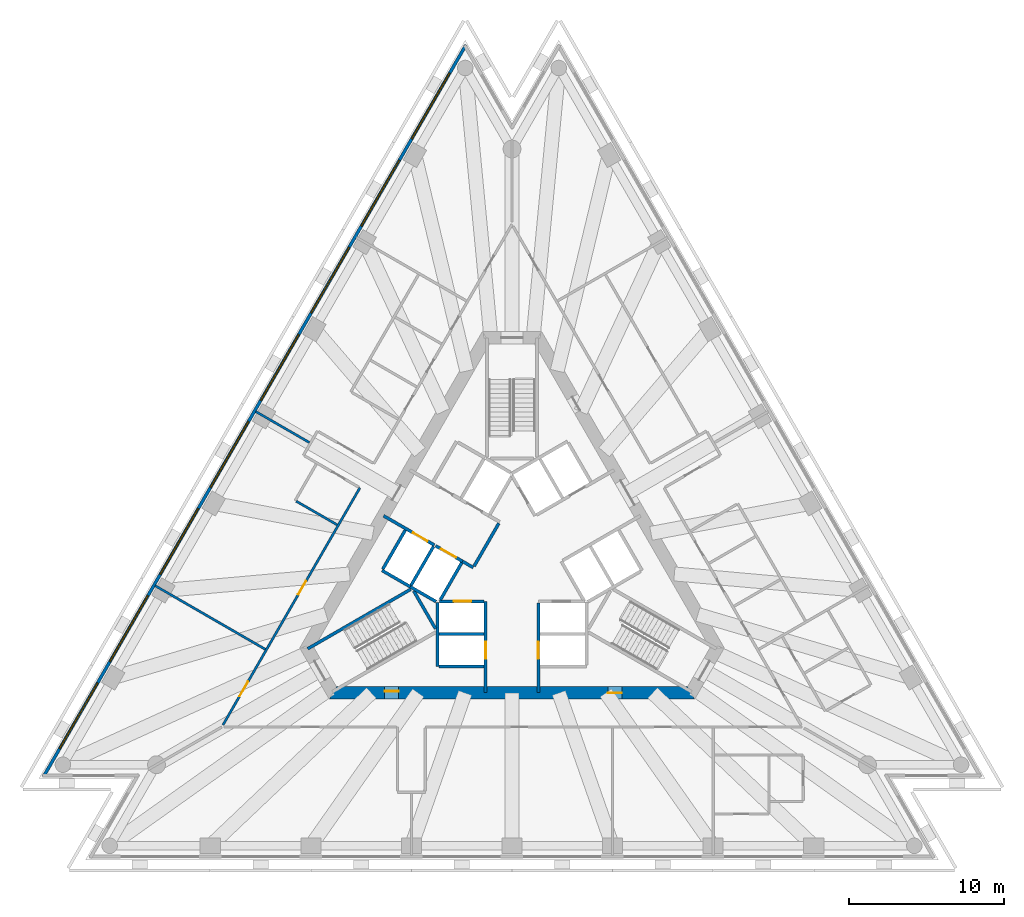
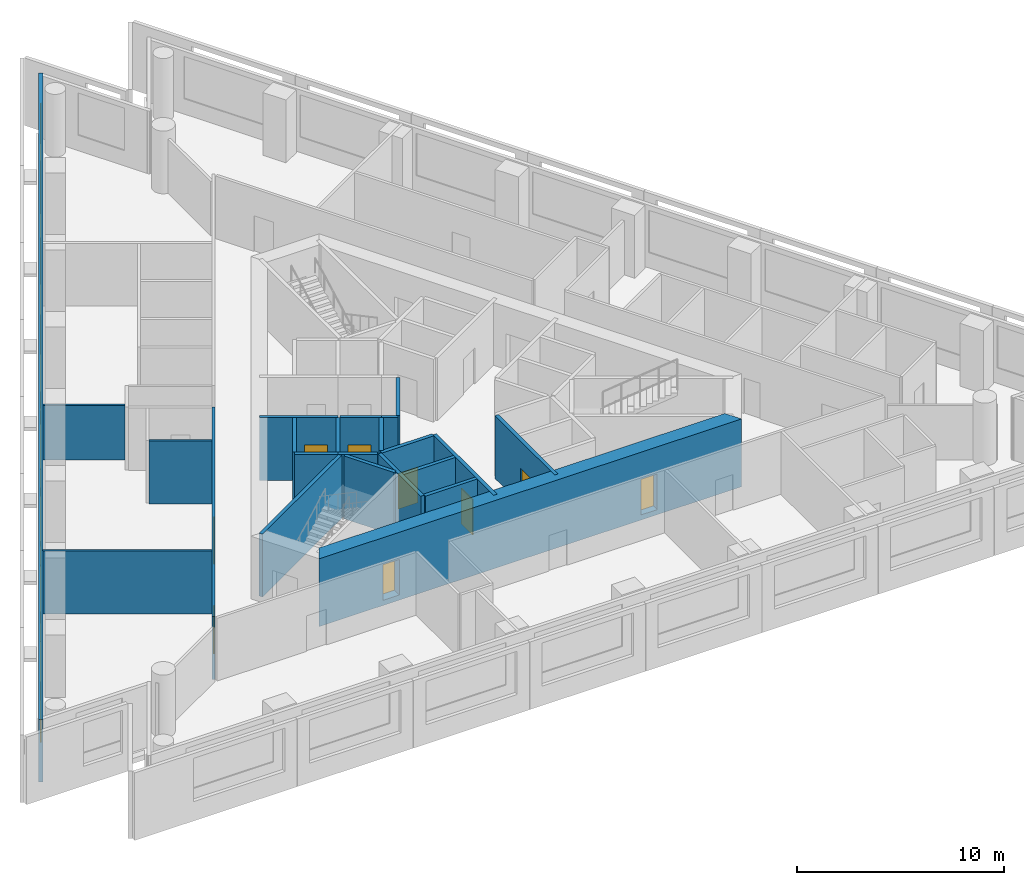
# One storey, part 3 of 9: 23 walls, 9 doors, 8 windows, 17 openings.
"""IFC4 building model written with IfcOpenShell, lengths in metres."""

from ifc_helpers import new_model, si_unit, direction, frame, frame_2d, origin, place, context, subcontext, project, spatial, polyline, rectangle, outline, extrude, material, layer, layer_set, layer_usage, type_object, element, fill, save


model = new_model("IFC4")

# Units and contexts
model_context = context("Model", 3, precision=1e-05, world=origin(), true_north=direction((0.0, 1.0)))
body_context = subcontext(model_context, "Body", "Model", "MODEL_VIEW")
ifc_project = project(units=[si_unit("LENGTHUNIT", "METRE"), si_unit("AREAUNIT", "SQUARE_METRE"), si_unit("VOLUMEUNIT", "CUBIC_METRE"), si_unit("PLANEANGLEUNIT", "RADIAN"), si_unit("MASSUNIT", "GRAM", prefix="KILO")], contexts=[model_context])

# Site, building, storey
site_placement = place(None, origin())
site = spatial("IfcSite", under=ifc_project, at=site_placement, CompositionType="ELEMENT")
building_placement = place(site_placement, origin())
building = spatial("IfcBuilding", under=site, at=building_placement, Name="Triada Interchange Tower", CompositionType="ELEMENT")
storey_placement = place(building_placement, frame((0.0, 0.0, 172.300048828125)))
storey = spatial("IfcBuildingStorey", under=building, at=storey_placement, Name="L40", CompositionType="ELEMENT", Elevation=172.300048828125)

# Walls
ifc_material_1 = material(Name="Concrete C30/37", Category="concrete")
ifc_layer_1 = layer(ifc_material_1, 0.199951171875)
ifc_layer_set_1 = layer_set([ifc_layer_1], Name="CORE WALL 200 EI 120")
wall_type_1 = type_object("IfcWallType", Name="CORE WALL 200 EI 120", PredefinedType="SOLIDWALL", material=ifc_layer_set_1)
wall_1_placement = place(storey_placement, frame((-8.3759765625, -0.70703125, 0.0), z_axis=(0.0, 0.0, 1.0), x_axis=(0.866067520717, -0.499927044236, 0.0)))
element("IfcWall", 1, at=wall_1_placement, inside=storey, type_object=wall_type_1, Name="Wall L38 48", PredefinedType="SOLIDWALL", context=body_context, shape_type="SweptSolid", body=[
    extrude(rectangle(XDim=2.100341796875, YDim=0.199951171875, at=frame_2d((1.05029296875, 0.0))), origin(), (0.0, 0.0, 1.0), 3.699951171875),
])
wall_2_placement = place(storey_placement, frame((-8.325927734375, -0.6201171875, 0.0), z_axis=(0.0, 0.0, 1.0), x_axis=(0.500023687443, 0.866011727401, 0.0)))
element("IfcWall", 2, at=wall_2_placement, inside=storey, type_object=wall_type_1, Name="Wall L38 49", PredefinedType="SOLIDWALL", context=body_context, shape_type="SweptSolid", body=[
    extrude(rectangle(XDim=2.899658203125, YDim=0.199951171875, at=frame_2d((1.44970703125, 0.0))), origin(), (0.0, 0.0, 1.0), 3.699951171875),
])
wall_3_placement = place(storey_placement, frame((-4.800048828125, -6.89990234375, 0.0), z_axis=(0.0, 0.0, 1.0), x_axis=(0.0, 1.0, 0.0)))
element("IfcWall", 3, at=wall_3_placement, inside=storey, type_object=wall_type_1, Name="Wall L38 50", PredefinedType="SOLIDWALL", context=body_context, shape_type="SweptSolid", body=[
    extrude(rectangle(XDim=4.130859375, YDim=0.199951171875, at=frame_2d((2.0654296875, 0.0))), origin(), (0.0, 0.0, 1.0), 3.699951171875),
])
for number, where, z_axis, x_axis, name in (
    (4, (-4.699951171875, -6.89990234375, 0.0), (0.0, 0.0, 1.0), (1.0, 0.0, 0.0), "Wall L38 51"),
    (5, (-4.699951171875, -4.800048828125, 0.0), (0.0, 0.0, 1.0), (1.0, 0.0, 0.0), "Wall L38 53"),
):
    element("IfcWall", number, at=place(storey_placement, frame(where, z_axis=z_axis, x_axis=x_axis)), inside=storey, type_object=wall_type_1, Name=name, PredefinedType="SOLIDWALL", context=body_context, shape_type="SweptSolid", body=[
        extrude(rectangle(XDim=2.89990234375, YDim=0.199951171875, at=frame_2d((1.449951171875, 0.0))), origin(), (0.0, 0.0, 1.0), 3.699951171875),
    ])

# Wall, opening, door
wall_4_placement = place(storey_placement, frame((-1.699951171875, -8.580078125, 0.0), z_axis=(0.0, 0.0, 1.0), x_axis=(0.0, 1.0, 0.0)))
wall_4 = element("IfcWall", 6, at=wall_4_placement, inside=storey, type_object=wall_type_1, Name="Wall L38 55", PredefinedType="SOLIDWALL", context=body_context, shape_type="SweptSolid", body=[
    extrude(rectangle(XDim=5.877197265625, YDim=0.199951171875, at=frame_2d((2.9384765625, 0.0))), origin(), (0.0, 0.0, 1.0), 3.699951171875),
])
opening_1_placement = place(wall_4_placement, frame((2.179931640625, 0.0, 0.0)))
opening_1 = element("IfcOpeningElement", 7, at=opening_1_placement, cuts=wall_4, Name="Opening LD-LR4", PredefinedType="OPENING", context=body_context, shape_type="SweptSolid", body=[
    extrude(rectangle(XDim=1.10009765625, YDim=2.10009765625, at=frame_2d((0.550048828125, 1.050048828125))), frame((0.0, 0.10986328125, 0.0), z_axis=(0.0, -1.0, 0.0), x_axis=(1.0, 0.0, 0.0)), (0.0, 0.0, 1.0), 0.219970703125),
])
ifc_material_2 = material(Name="Steel S235 door leaf", Category="steel")
door_type_1 = type_object("IfcDoorType", Name="LIFT LANDING DOOR 1100 EI 120", OperationType="SLIDING_TO_LEFT", PredefinedType="DOOR", material=ifc_material_2)
door_1_placement = place(opening_1_placement, origin())
door_1 = element("IfcDoor", 8, at=door_1_placement, inside=storey, type_object=door_type_1, Name="LR4 landing door L40", OperationType="SLIDING_TO_LEFT", OverallHeight=2.10009765625, OverallWidth=1.10009765625, PredefinedType="DOOR", context=body_context, shape_type="SweptSolid", body=[
    extrude(rectangle(XDim=1.10009765625, YDim=2.10009765625, at=frame_2d((0.550048828125, 1.050048828125))), frame((0.0, 0.02490234375, 0.0), z_axis=(0.0, -1.0, 0.0), x_axis=(1.0, 0.0, 0.0)), (0.0, 0.0, 1.0), 0.050048828125),
])
fill(opening_1, door_1)

wall_5_placement = place(storey_placement, frame((-4.676025390625, -2.699951171875, 0.0), z_axis=(0.0, 0.0, 1.0), x_axis=(1.0, 0.0, 0.0)))
wall_5 = element("IfcWall", 9, at=wall_5_placement, inside=storey, type_object=wall_type_1, Name="Wall L38 56", PredefinedType="SOLIDWALL", context=body_context, shape_type="SweptSolid", body=[
    extrude(rectangle(XDim=2.873046875, YDim=0.199951171875, at=frame_2d((1.4365234375, 0.0))), origin(), (0.0, 0.0, 1.0), 3.699951171875),
])
opening_2_placement = place(wall_5_placement, frame((0.93701171875, 0.0, 0.0)))
opening_2 = element("IfcOpeningElement", 10, at=opening_2_placement, cuts=wall_5, Name="Opening LD-LR3", PredefinedType="OPENING", context=body_context, shape_type="SweptSolid", body=[
    extrude(rectangle(XDim=1.10009765625, YDim=2.10009765625, at=frame_2d((0.550048828125, 1.050048828125))), frame((0.0, 0.10986328125, 0.0), z_axis=(0.0, -1.0, 0.0), x_axis=(1.0, 0.0, 0.0)), (0.0, 0.0, 1.0), 0.219970703125),
])
door_2_placement = place(opening_2_placement, origin())
door_2 = element("IfcDoor", 11, at=door_2_placement, inside=storey, type_object=door_type_1, Name="LR3 landing door L40", OperationType="SLIDING_TO_LEFT", OverallHeight=2.10009765625, OverallWidth=1.10009765625, PredefinedType="DOOR", context=body_context, shape_type="SweptSolid", body=[
    extrude(rectangle(XDim=1.10009765625, YDim=2.10009765625, at=frame_2d((0.550048828125, 1.050048828125))), frame((0.0, 0.02490234375, 0.0), z_axis=(0.0, -1.0, 0.0), x_axis=(1.0, 0.0, 0.0)), (0.0, 0.0, 1.0), 0.050048828125),
])
fill(opening_2, door_2)

wall_6_placement = place(storey_placement, frame((1.699951171875, -8.580078125, 0.0), z_axis=(0.0, 0.0, 1.0), x_axis=(0.0, 1.0, 0.0)))
wall_6 = element("IfcWall", 12, at=wall_6_placement, inside=storey, type_object=wall_type_1, Name="Wall L38 62", PredefinedType="SOLIDWALL", context=body_context, shape_type="SweptSolid", body=[
    extrude(rectangle(XDim=5.777099609375, YDim=0.199951171875, at=frame_2d((2.888671875, 0.0))), origin(), (0.0, 0.0, 1.0), 3.699951171875),
])
opening_3_placement = place(wall_6_placement, frame((2.179931640625, 0.0, 0.0)))
opening_3 = element("IfcOpeningElement", 13, at=opening_3_placement, cuts=wall_6, Name="Opening LD-LR2", PredefinedType="OPENING", context=body_context, shape_type="SweptSolid", body=[
    extrude(rectangle(XDim=1.10009765625, YDim=2.10009765625, at=frame_2d((0.550048828125, 1.050048828125))), frame((0.0, 0.10986328125, 0.0), z_axis=(0.0, -1.0, 0.0), x_axis=(1.0, 0.0, 0.0)), (0.0, 0.0, 1.0), 0.219970703125),
])
door_3_placement = place(opening_3_placement, origin())
door_3 = element("IfcDoor", 14, at=door_3_placement, inside=storey, type_object=door_type_1, Name="LR2 landing door L40", OperationType="SLIDING_TO_LEFT", OverallHeight=2.10009765625, OverallWidth=1.10009765625, PredefinedType="DOOR", context=body_context, shape_type="SweptSolid", body=[
    extrude(rectangle(XDim=1.10009765625, YDim=2.10009765625, at=frame_2d((0.550048828125, 1.050048828125))), frame((0.0, 0.02490234375, 0.0), z_axis=(0.0, -1.0, 0.0), x_axis=(1.0, 0.0, 0.0)), (0.0, 0.0, 1.0), 0.050048828125),
])
fill(opening_3, door_3)

ifc_layer_2 = layer(ifc_material_1, 0.199951171875)
ifc_layer_set_2 = layer_set([ifc_layer_2], Name="CORE WALL 200 EI 180")
wall_type_2 = type_object("IfcWallType", Name="CORE WALL 200 EI 180", PredefinedType="SOLIDWALL", material=ifc_layer_set_2)
wall_7_placement = place(storey_placement, frame((-8.280029296875, 2.818115234375, 0.0), z_axis=(0.0, 0.0, 1.0), x_axis=(0.86600175068, -0.50004096614, 0.0)))
wall_7 = element("IfcWall", 15, at=wall_7_placement, inside=storey, type_object=wall_type_2, Name="Wall L38 70", PredefinedType="SOLIDWALL", context=body_context, shape_type="SweptSolid", body=[
    extrude(rectangle(XDim=3.781982421875, YDim=0.199951171875, at=frame_2d((1.89111328125, 0.0))), origin(), (0.0, 0.0, 1.0), 3.699951171875),
])
opening_4_placement = place(wall_7_placement, frame((2.179931640625, 0.0, 0.0)))
opening_4 = element("IfcOpeningElement", 16, at=opening_4_placement, cuts=wall_7, Name="Opening LD-SV1", PredefinedType="OPENING", context=body_context, shape_type="SweptSolid", body=[
    extrude(rectangle(XDim=1.10009765625, YDim=2.10009765625, at=frame_2d((0.550048828125, 1.050048828125))), frame((0.0, 0.10986328125, 0.0), z_axis=(0.0, -1.0, 0.0), x_axis=(1.0, 0.0, 0.0)), (0.0, 0.0, 1.0), 0.219970703125),
])
door_4_placement = place(opening_4_placement, origin())
door_4 = element("IfcDoor", 17, at=door_4_placement, inside=storey, type_object=door_type_1, Name="SV1 landing door L40", OperationType="SLIDING_TO_LEFT", OverallHeight=2.10009765625, OverallWidth=1.10009765625, PredefinedType="DOOR", context=body_context, shape_type="SweptSolid", body=[
    extrude(rectangle(XDim=1.10009765625, YDim=2.10009765625, at=frame_2d((0.550048828125, 1.050048828125))), frame((0.0, 0.02490234375, 0.0), z_axis=(0.0, -1.0, 0.0), x_axis=(1.0, 0.0, 0.0)), (0.0, 0.0, 1.0), 0.050048828125),
])
fill(opening_4, door_4)

# Walls
wall_8_placement = place(storey_placement, frame((-3.18798828125, -0.1220703125, 0.0), z_axis=(0.0, 0.0, 1.0), x_axis=(0.865705793592, -0.50055317294, 0.0)))
element("IfcWall", 18, at=wall_8_placement, inside=storey, type_object=wall_type_2, Name="Wall L38 71", PredefinedType="SOLIDWALL", context=body_context, shape_type="SweptSolid", body=[
    extrude(rectangle(XDim=0.796875, YDim=0.199951171875, at=frame_2d((0.3984375, 0.0))), origin(), (0.0, 0.0, 1.0), 3.699951171875),
])
wall_9_placement = place(storey_placement, frame((-2.444091796875, -0.43310546875, 0.0), z_axis=(0.0, 0.0, 1.0), x_axis=(0.500035624827, 0.866004834804, 0.0)))
element("IfcWall", 19, at=wall_9_placement, inside=storey, type_object=wall_type_2, Name="Wall L38 76", PredefinedType="SOLIDWALL", context=body_context, shape_type="SweptSolid", body=[
    extrude(rectangle(XDim=3.194091796875, YDim=0.199951171875, at=frame_2d((1.59716796875, 0.0))), origin(), (0.0, 0.0, 1.0), 3.699951171875),
])
wall_10_placement = place(storey_placement, frame((-6.556884765625, -1.757080078125, 0.0), z_axis=(0.0, 0.0, 1.0), x_axis=(0.8659754619, -0.500086491905, 0.0)))
element("IfcWall", 20, at=wall_10_placement, inside=storey, type_object=wall_type_2, Name="Shaft wall FF1 L38 77", PredefinedType="SOLIDWALL", context=body_context, shape_type="SweptSolid", body=[
    extrude(rectangle(XDim=1.915771484375, YDim=0.199951171875, at=frame_2d((0.9580078125, 0.0))), origin(), (0.0, 0.0, 1.0), 3.699951171875),
])
wall_11_placement = place(storey_placement, frame((-6.507080078125, -1.669921875, 0.0), z_axis=(0.0, 0.0, 1.0), x_axis=(0.50012328804, 0.865954211699, 0.0)))
element("IfcWall", 21, at=wall_11_placement, inside=storey, type_object=wall_type_2, Name="Shaft wall FF1 L38 78", PredefinedType="SOLIDWALL", context=body_context, shape_type="SweptSolid", body=[
    extrude(rectangle(XDim=2.899658203125, YDim=0.199951171875, at=frame_2d((1.44970703125, 0.0))), origin(), (0.0, 0.0, 1.0), 3.699951171875),
])

# Wall, opening, door
wall_12_placement = place(storey_placement, frame((-4.919921875, 0.8779296875, 0.0), z_axis=(0.0, 0.0, 1.0), x_axis=(0.866010750942, -0.50002537861, 0.0)))
wall_12 = element("IfcWall", 22, at=wall_12_placement, inside=storey, type_object=wall_type_2, Name="Shaft wall FF1 L38 79", PredefinedType="SOLIDWALL", context=body_context, shape_type="SweptSolid", body=[
    extrude(rectangle(XDim=2.0, YDim=0.199951171875, at=frame_2d((1.0, 0.0))), origin(), (0.0, 0.0, 1.0), 3.699951171875),
])
opening_5_placement = place(wall_12_placement, frame((0.39990234375, 0.0, 0.0)))
opening_5 = element("IfcOpeningElement", 23, at=opening_5_placement, cuts=wall_12, Name="Opening LD-FF1", PredefinedType="OPENING", context=body_context, shape_type="SweptSolid", body=[
    extrude(rectangle(XDim=1.10009765625, YDim=2.10009765625, at=frame_2d((0.550048828125, 1.050048828125))), frame((0.0, 0.10986328125, 0.0), z_axis=(0.0, -1.0, 0.0), x_axis=(1.0, 0.0, 0.0)), (0.0, 0.0, 1.0), 0.219970703125),
])
door_5_placement = place(opening_5_placement, origin())
door_5 = element("IfcDoor", 24, at=door_5_placement, inside=storey, type_object=door_type_1, Name="FF1 landing door L40", OperationType="SLIDING_TO_LEFT", OverallHeight=2.10009765625, OverallWidth=1.10009765625, PredefinedType="DOOR", context=body_context, shape_type="SweptSolid", body=[
    extrude(rectangle(XDim=1.10009765625, YDim=2.10009765625, at=frame_2d((0.550048828125, 1.050048828125))), frame((0.0, 0.02490234375, 0.0), z_axis=(0.0, -1.0, 0.0), x_axis=(1.0, 0.0, 0.0)), (0.0, 0.0, 1.0), 0.050048828125),
])
fill(opening_5, door_5)

# Walls
wall_13_placement = place(storey_placement, frame((-4.618896484375, -2.60009765625, 0.0), z_axis=(0.0, 0.0, 1.0), x_axis=(0.50009492287, 0.865970593103, 0.0)))
element("IfcWall", 25, at=wall_13_placement, inside=storey, type_object=wall_type_2, Name="Shaft wall FF1 L38 80", PredefinedType="SOLIDWALL", context=body_context, shape_type="SweptSolid", body=[
    extrude(rectangle(XDim=2.76123046875, YDim=0.199951171875, at=frame_2d((1.380615234375, 0.0))), origin(), (0.0, 0.0, 1.0), 3.699951171875),
])
ifc_layer_3 = layer(ifc_material_1, 0.199951171875)
ifc_layer_set_3 = layer_set([ifc_layer_3], Name="CORE WALL 200 REI 240")
wall_type_3 = type_object("IfcWallType", Name="CORE WALL 200 REI 240", PredefinedType="SOLIDWALL", material=ifc_layer_set_3)
wall_14_placement = place(storey_placement, frame((-13.1669921875, -5.75390625, 0.0), z_axis=(0.0, 0.0, 1.0), x_axis=(0.866060938598, 0.499938446846, 0.0)))
element("IfcWall", 26, at=wall_14_placement, inside=storey, type_object=wall_type_3, Name="Wall L38 85", PredefinedType="SOLIDWALL", context=body_context, shape_type="SweptSolid", body=[
    extrude(rectangle(XDim=7.66455078125, YDim=0.199951171875, at=frame_2d((3.832275390625, 0.0))), origin(), (0.0, 0.0, 1.0), 3.699951171875),
])
wall_15_placement = place(storey_placement, frame((-6.3291015625, -2.0380859375, 0.0), z_axis=(0.0, 0.0, 1.0), x_axis=(0.500200581029, -0.865909567298, 0.0)))
element("IfcWall", 27, at=wall_15_placement, inside=storey, type_object=wall_type_3, Name="Wall L38 86", PredefinedType="SOLIDWALL", context=body_context, shape_type="SweptSolid", body=[
    extrude(rectangle(XDim=2.799072265625, YDim=0.199951171875, at=frame_2d((1.3994140625, 0.0))), origin(), (0.0, 0.0, 1.0), 3.699951171875),
])

# Wall, openings, doors
ifc_material_3 = material(Name="Concrete C60/75", Category="concrete")
ifc_layer_4 = layer(ifc_material_3, 0.800048828125)
ifc_layer_set_4 = layer_set([ifc_layer_4], Name="Core wall B 800")
wall_type_4 = type_object("IfcWallType", Name="Core wall B 800", PredefinedType="SHEAR", material=ifc_layer_set_4)
wall_16_placement = place(storey_placement, frame((-11.547119140625, -8.60009765625, -0.300048828125), z_axis=(0.0, 0.0, 1.0), x_axis=(1.0, 0.0, 0.0)))
wall_16 = element("IfcWall", 28, at=wall_16_placement, inside=storey, type_object=wall_type_4, Name="Core wall WB04 L40", PredefinedType="SHEAR", context=body_context, shape_type="SweptSolid", body=[
    extrude(outline(polyline([(-0.23095703125, -0.39990234375), (1.73193359375, -0.39990234375), (3.695068359375, -0.39990234375), (5.657958984375, -0.39990234375), (7.62109375, -0.39990234375), (9.583984375, -0.39990234375), (11.546875, -0.39990234375), (13.510009765625, -0.39990234375), (15.472900390625, -0.39990234375), (17.43603515625, -0.39990234375), (19.39892578125, -0.39990234375), (21.362060546875, -0.39990234375), (23.324951171875, -0.39990234375), (22.863037109375, 0.39990234375), (20.97705078125, 0.39990234375), (19.091064453125, 0.39990234375), (17.205078125, 0.39990234375), (15.319091796875, 0.39990234375), (13.43310546875, 0.39990234375), (11.546875, 0.39990234375), (9.660888671875, 0.39990234375), (7.77490234375, 0.39990234375), (5.888916015625, 0.39990234375), (4.0029296875, 0.39990234375), (2.116943359375, 0.39990234375), (0.23095703125, 0.39990234375), (-0.23095703125, -0.39990234375)])), origin(), (0.0, 0.0, 1.0), 4.0),
])
opening_6_placement = place(wall_16_placement, frame((3.340087890625, 0.0, 0.300048828125)))
opening_6 = element("IfcOpeningElement", 29, at=opening_6_placement, cuts=wall_16, Name="Opening D38-40", PredefinedType="OPENING", context=body_context, shape_type="SweptSolid", body=[
    extrude(rectangle(XDim=0.89990234375, YDim=2.10009765625, at=frame_2d((0.449951171875, 1.050048828125))), frame((0.0, 0.409912109375, 0.0), z_axis=(0.0, -1.0, 0.0), x_axis=(1.0, 0.0, 0.0)), (0.0, 0.0, 1.0), 0.820068359375),
])
opening_7_placement = place(wall_16_placement, frame((17.721923828125, 0.0, 0.300048828125)))
opening_7 = element("IfcOpeningElement", 30, at=opening_7_placement, cuts=wall_16, Name="Opening D38-42", PredefinedType="OPENING", context=body_context, shape_type="SweptSolid", body=[
    extrude(rectangle(XDim=0.89990234375, YDim=2.10009765625, at=frame_2d((0.449951171875, 1.050048828125))), frame((0.0, 0.409912109375, 0.0), z_axis=(0.0, -1.0, 0.0), x_axis=(1.0, 0.0, 0.0)), (0.0, 0.0, 1.0), 0.820068359375),
])
door_type_2 = type_object("IfcDoorType", Name="RISER ACCESS DOOR 900 EI2 45-C5S200", OperationType="NOTDEFINED", PredefinedType="DOOR", material=ifc_material_2)
door_6_placement = place(opening_7_placement, origin())
door_6 = element("IfcDoor", 31, at=door_6_placement, inside=storey, type_object=door_type_2, Name="Door D38-42 L40", OperationType="SINGLE_SWING_LEFT", OverallHeight=2.10009765625, OverallWidth=0.89990234375, PredefinedType="DOOR", context=body_context, shape_type="SweptSolid", body=[
    extrude(rectangle(XDim=0.89990234375, YDim=2.10009765625, at=frame_2d((0.449951171875, 1.050048828125))), frame((0.0, 0.02490234375, 0.0), z_axis=(0.0, -1.0, 0.0), x_axis=(1.0, 0.0, 0.0)), (0.0, 0.0, 1.0), 0.050048828125),
])
fill(opening_7, door_6)
door_type_3 = type_object("IfcDoorType", Name="SERVICE DOOR 900 EI2 45-C5S200", OperationType="NOTDEFINED", PredefinedType="DOOR", material=ifc_material_2)
door_7_placement = place(opening_6_placement, origin())
door_7 = element("IfcDoor", 32, at=door_7_placement, inside=storey, type_object=door_type_3, Name="Door D38-40 L40", OperationType="SINGLE_SWING_LEFT", OverallHeight=2.10009765625, OverallWidth=0.89990234375, PredefinedType="DOOR", context=body_context, shape_type="SweptSolid", body=[
    extrude(rectangle(XDim=0.89990234375, YDim=2.10009765625, at=frame_2d((0.449951171875, 1.050048828125))), frame((0.0, 0.125, 0.0), z_axis=(0.0, -1.0, 0.0), x_axis=(1.0, 0.0, 0.0)), (0.0, 0.0, 1.0), 0.050048828125),
])
fill(opening_6, door_7)

# Wall, openings, windows
ifc_material_4 = material(Name="Cement board")
ifc_layer_5 = layer(ifc_material_4, 0.02001953125, Name="Cement board cladding")
ifc_material_5 = material(Name="Sheathing board")
ifc_layer_6 = layer(ifc_material_5, 0.014892578125, Name="Sheathing board")
ifc_material_6 = material(Name="Mineral wool")
ifc_layer_7 = layer(ifc_material_6, 0.14990234375, Name="Mineral wool between steel studs")
ifc_material_7 = material(Name="Gypsum board")
ifc_layer_8 = layer(ifc_material_7, 0.014892578125, Name="Plasterboard lining")
ifc_layer_set_5 = layer_set([ifc_layer_5, ifc_layer_6, ifc_layer_7, ifc_layer_8], Name="External wall 200")
ifc_layer_usage = layer_usage(ifc_layer_set_5, "AXIS2", "POSITIVE", -0.10009765625)
wall_type_5 = type_object("IfcWallType", Name="External wall 200", PredefinedType="ELEMENTEDWALL", material=ifc_layer_set_5)
wall_17_placement = place(storey_placement, frame((-2.971923828125, 33.159912109375, 0.0), z_axis=(0.0, 0.0, 1.0), x_axis=(-0.500009959561, -0.866019653553, 0.0)))
wall_17 = element("IfcWall", 33, at=wall_17_placement, inside=storey, type_object=wall_type_5, material=ifc_layer_usage, Name="External wall L40 NW", PredefinedType="ELEMENTEDWALL", context=body_context, shape_type="SweptSolid", body=[
    extrude(rectangle(XDim=54.443359375, YDim=0.199951171875, at=frame_2d((27.2216796875, 0.0))), origin(), (0.0, 0.0, 1.0), 3.699951171875),
])
opening_8_placement = place(wall_17_placement, frame((2.093994140625, 0.0, 0.89990234375)))
opening_8 = element("IfcOpeningElement", 34, at=opening_8_placement, cuts=wall_17, Name="Opening WB01", PredefinedType="OPENING", context=body_context, shape_type="SweptSolid", body=[
    extrude(rectangle(XDim=4.89990234375, YDim=2.5, at=frame_2d((2.449951171875, 1.25))), frame((0.0, 0.10986328125, 0.0), z_axis=(0.0, -1.0, 0.0), x_axis=(1.0, 0.0, 0.0)), (0.0, 0.0, 1.0), 0.219970703125),
])
opening_9_placement = place(wall_17_placement, frame((8.575927734375, 0.0, 0.89990234375)))
opening_9 = element("IfcOpeningElement", 35, at=opening_9_placement, cuts=wall_17, Name="Opening WB02", PredefinedType="OPENING", context=body_context, shape_type="SweptSolid", body=[
    extrude(rectangle(XDim=4.89990234375, YDim=2.5, at=frame_2d((2.449951171875, 1.25))), frame((0.0, 0.10986328125, 0.0), z_axis=(0.0, -1.0, 0.0), x_axis=(1.0, 0.0, 0.0)), (0.0, 0.0, 1.0), 0.219970703125),
])
opening_10_placement = place(wall_17_placement, frame((15.05810546875, 0.0, 0.89990234375)))
opening_10 = element("IfcOpeningElement", 36, at=opening_10_placement, cuts=wall_17, Name="Opening WB03", PredefinedType="OPENING", context=body_context, shape_type="SweptSolid", body=[
    extrude(rectangle(XDim=4.89990234375, YDim=2.5, at=frame_2d((2.449951171875, 1.25))), frame((0.0, 0.10986328125, 0.0), z_axis=(0.0, -1.0, 0.0), x_axis=(1.0, 0.0, 0.0)), (0.0, 0.0, 1.0), 0.219970703125),
])
opening_11_placement = place(wall_17_placement, frame((21.5400390625, 0.0, 0.89990234375)))
opening_11 = element("IfcOpeningElement", 37, at=opening_11_placement, cuts=wall_17, Name="Opening WB04", PredefinedType="OPENING", context=body_context, shape_type="SweptSolid", body=[
    extrude(rectangle(XDim=4.89990234375, YDim=2.5, at=frame_2d((2.449951171875, 1.25))), frame((0.0, 0.10986328125, 0.0), z_axis=(0.0, -1.0, 0.0), x_axis=(1.0, 0.0, 0.0)), (0.0, 0.0, 1.0), 0.219970703125),
])
opening_12_placement = place(wall_17_placement, frame((28.02197265625, 0.0, 0.89990234375)))
opening_12 = element("IfcOpeningElement", 38, at=opening_12_placement, cuts=wall_17, Name="Opening WB05", PredefinedType="OPENING", context=body_context, shape_type="SweptSolid", body=[
    extrude(rectangle(XDim=4.89990234375, YDim=2.5, at=frame_2d((2.449951171875, 1.25))), frame((0.0, 0.10986328125, 0.0), z_axis=(0.0, -1.0, 0.0), x_axis=(1.0, 0.0, 0.0)), (0.0, 0.0, 1.0), 0.219970703125),
])
opening_13_placement = place(wall_17_placement, frame((34.5048828125, 0.0, 0.89990234375)))
opening_13 = element("IfcOpeningElement", 39, at=opening_13_placement, cuts=wall_17, Name="Opening WB06", PredefinedType="OPENING", context=body_context, shape_type="SweptSolid", body=[
    extrude(rectangle(XDim=4.89990234375, YDim=2.5, at=frame_2d((2.449951171875, 1.25))), frame((0.0, 0.10986328125, 0.0), z_axis=(0.0, -1.0, 0.0), x_axis=(1.0, 0.0, 0.0)), (0.0, 0.0, 1.0), 0.219970703125),
])
opening_14_placement = place(wall_17_placement, frame((40.987060546875, 0.0, 0.89990234375)))
opening_14 = element("IfcOpeningElement", 40, at=opening_14_placement, cuts=wall_17, Name="Opening WB07", PredefinedType="OPENING", context=body_context, shape_type="SweptSolid", body=[
    extrude(rectangle(XDim=4.89990234375, YDim=2.5, at=frame_2d((2.449951171875, 1.25))), frame((0.0, 0.10986328125, 0.0), z_axis=(0.0, -1.0, 0.0), x_axis=(1.0, 0.0, 0.0)), (0.0, 0.0, 1.0), 0.219970703125),
])
opening_15_placement = place(wall_17_placement, frame((47.468994140625, 0.0, 0.89990234375)))
opening_15 = element("IfcOpeningElement", 41, at=opening_15_placement, cuts=wall_17, Name="Opening WB08", PredefinedType="OPENING", context=body_context, shape_type="SweptSolid", body=[
    extrude(rectangle(XDim=4.89990234375, YDim=2.5, at=frame_2d((2.449951171875, 1.25))), frame((0.0, 0.10986328125, 0.0), z_axis=(0.0, -1.0, 0.0), x_axis=(1.0, 0.0, 0.0)), (0.0, 0.0, 1.0), 0.219970703125),
])
ifc_material_8 = material(Name="Double glazed aluminium window", Category="aluminium")
window_type = type_object("IfcWindowType", Name="Ribbon window B face", PartitioningType="SINGLE_PANEL", PredefinedType="WINDOW", material=ifc_material_8)
window_1_placement = place(opening_8_placement, origin())
window_1 = element("IfcWindow", 42, at=window_1_placement, inside=storey, type_object=window_type, Name="Window L40 NW 1", OverallHeight=2.5, OverallWidth=4.89990234375, PartitioningType="SINGLE_PANEL", PredefinedType="WINDOW", context=body_context, shape_type="SweptSolid", body=[
    extrude(rectangle(XDim=4.89990234375, YDim=2.5, at=frame_2d((2.449951171875, 1.25))), frame((0.0, 0.030029296875, 0.0), z_axis=(0.0, -1.0, 0.0), x_axis=(1.0, 0.0, 0.0)), (0.0, 0.0, 1.0), 0.06005859375),
])
fill(opening_8, window_1)
window_2_placement = place(opening_9_placement, origin())
window_2 = element("IfcWindow", 43, at=window_2_placement, inside=storey, type_object=window_type, Name="Window L40 NW 2", OverallHeight=2.5, OverallWidth=4.89990234375, PartitioningType="SINGLE_PANEL", PredefinedType="WINDOW", context=body_context, shape_type="SweptSolid", body=[
    extrude(rectangle(XDim=4.89990234375, YDim=2.5, at=frame_2d((2.449951171875, 1.25))), frame((0.0, 0.030029296875, 0.0), z_axis=(0.0, -1.0, 0.0), x_axis=(1.0, 0.0, 0.0)), (0.0, 0.0, 1.0), 0.06005859375),
])
fill(opening_9, window_2)
window_3_placement = place(opening_10_placement, origin())
window_3 = element("IfcWindow", 44, at=window_3_placement, inside=storey, type_object=window_type, Name="Window L40 NW 3", OverallHeight=2.5, OverallWidth=4.89990234375, PartitioningType="SINGLE_PANEL", PredefinedType="WINDOW", context=body_context, shape_type="SweptSolid", body=[
    extrude(rectangle(XDim=4.89990234375, YDim=2.5, at=frame_2d((2.449951171875, 1.25))), frame((0.0, 0.030029296875, 0.0), z_axis=(0.0, -1.0, 0.0), x_axis=(1.0, 0.0, 0.0)), (0.0, 0.0, 1.0), 0.06005859375),
])
fill(opening_10, window_3)
window_4_placement = place(opening_11_placement, origin())
window_4 = element("IfcWindow", 45, at=window_4_placement, inside=storey, type_object=window_type, Name="Window L40 NW 4", OverallHeight=2.5, OverallWidth=4.89990234375, PartitioningType="SINGLE_PANEL", PredefinedType="WINDOW", context=body_context, shape_type="SweptSolid", body=[
    extrude(rectangle(XDim=4.89990234375, YDim=2.5, at=frame_2d((2.449951171875, 1.25))), frame((0.0, 0.030029296875, 0.0), z_axis=(0.0, -1.0, 0.0), x_axis=(1.0, 0.0, 0.0)), (0.0, 0.0, 1.0), 0.06005859375),
])
fill(opening_11, window_4)
window_5_placement = place(opening_12_placement, origin())
window_5 = element("IfcWindow", 46, at=window_5_placement, inside=storey, type_object=window_type, Name="Window L40 NW 5", OverallHeight=2.5, OverallWidth=4.89990234375, PartitioningType="SINGLE_PANEL", PredefinedType="WINDOW", context=body_context, shape_type="SweptSolid", body=[
    extrude(rectangle(XDim=4.89990234375, YDim=2.5, at=frame_2d((2.449951171875, 1.25))), frame((0.0, 0.030029296875, 0.0), z_axis=(0.0, -1.0, 0.0), x_axis=(1.0, 0.0, 0.0)), (0.0, 0.0, 1.0), 0.06005859375),
])
fill(opening_12, window_5)
window_6_placement = place(opening_13_placement, origin())
window_6 = element("IfcWindow", 47, at=window_6_placement, inside=storey, type_object=window_type, Name="Window L40 NW 6", OverallHeight=2.5, OverallWidth=4.89990234375, PartitioningType="SINGLE_PANEL", PredefinedType="WINDOW", context=body_context, shape_type="SweptSolid", body=[
    extrude(rectangle(XDim=4.89990234375, YDim=2.5, at=frame_2d((2.449951171875, 1.25))), frame((0.0, 0.030029296875, 0.0), z_axis=(0.0, -1.0, 0.0), x_axis=(1.0, 0.0, 0.0)), (0.0, 0.0, 1.0), 0.06005859375),
])
fill(opening_13, window_6)
window_7_placement = place(opening_14_placement, origin())
window_7 = element("IfcWindow", 48, at=window_7_placement, inside=storey, type_object=window_type, Name="Window L40 NW 7", OverallHeight=2.5, OverallWidth=4.89990234375, PartitioningType="SINGLE_PANEL", PredefinedType="WINDOW", context=body_context, shape_type="SweptSolid", body=[
    extrude(rectangle(XDim=4.89990234375, YDim=2.5, at=frame_2d((2.449951171875, 1.25))), frame((0.0, 0.030029296875, 0.0), z_axis=(0.0, -1.0, 0.0), x_axis=(1.0, 0.0, 0.0)), (0.0, 0.0, 1.0), 0.06005859375),
])
fill(opening_14, window_7)
window_8_placement = place(opening_15_placement, origin())
window_8 = element("IfcWindow", 49, at=window_8_placement, inside=storey, type_object=window_type, Name="Window L40 NW 8", OverallHeight=2.5, OverallWidth=4.89990234375, PartitioningType="SINGLE_PANEL", PredefinedType="WINDOW", context=body_context, shape_type="SweptSolid", body=[
    extrude(rectangle(XDim=4.89990234375, YDim=2.5, at=frame_2d((2.449951171875, 1.25))), frame((0.0, 0.030029296875, 0.0), z_axis=(0.0, -1.0, 0.0), x_axis=(1.0, 0.0, 0.0)), (0.0, 0.0, 1.0), 0.06005859375),
])
fill(opening_15, window_8)

# Wall
ifc_material_9 = material(Name="Gypsum board partition")
ifc_layer_9 = layer(ifc_material_9, 0.14990234375)
ifc_layer_set_6 = layer_set([ifc_layer_9], Name="PARTITION 150 EI 180")
wall_type_6 = type_object("IfcWallType", Name="PARTITION 150 EI 180", PredefinedType="PARTITIONING", material=ifc_layer_set_6)
wall_18_placement = place(storey_placement, frame((-23.0009765625, -1.68994140625, 0.0), z_axis=(0.0, 0.0, 1.0), x_axis=(0.866010060309, -0.500026574738, 0.0)))
element("IfcWall", 50, at=wall_18_placement, inside=storey, type_object=wall_type_6, Name="Wall L38 3", PredefinedType="PARTITIONING", context=body_context, shape_type="SweptSolid", body=[
    extrude(rectangle(XDim=8.19970703125, YDim=0.14990234375, at=frame_2d((4.099853515625, 0.0))), origin(), (0.0, 0.0, 1.0), 3.699951171875),
])

# Wall, openings, doors
wall_19_placement = place(storey_placement, frame((-18.631103515625, -10.6689453125, 0.0), z_axis=(0.0, 0.0, 1.0), x_axis=(0.500000173646, 0.86602530353, 0.0)))
wall_19 = element("IfcWall", 51, at=wall_19_placement, inside=storey, type_object=wall_type_6, Name="Wall L38 8", PredefinedType="PARTITIONING", context=body_context, shape_type="SweptSolid", body=[
    extrude(rectangle(XDim=17.654296875, YDim=0.14990234375, at=frame_2d((8.8271484375, 0.0))), origin(), (0.0, 0.0, 1.0), 3.699951171875),
])
opening_16_placement = place(wall_19_placement, frame((9.705078125, 0.0, 0.0)))
opening_16 = element("IfcOpeningElement", 52, at=opening_16_placement, cuts=wall_19, Name="Opening D38-32", PredefinedType="OPENING", context=body_context, shape_type="SweptSolid", body=[
    extrude(rectangle(XDim=1.0, YDim=2.10009765625, at=frame_2d((0.5, 1.050048828125))), frame((0.0, 0.0849609375, 0.0), z_axis=(0.0, -1.0, 0.0), x_axis=(1.0, 0.0, 0.0)), (0.0, 0.0, 1.0), 0.169921875),
])
opening_17_placement = place(wall_19_placement, frame((2.14111328125, 0.0, 0.0)))
opening_17 = element("IfcOpeningElement", 53, at=opening_17_placement, cuts=wall_19, Name="Opening D38-34", PredefinedType="OPENING", context=body_context, shape_type="SweptSolid", body=[
    extrude(rectangle(XDim=1.10009765625, YDim=2.10009765625, at=frame_2d((0.550048828125, 1.050048828125))), frame((0.0, 0.0849609375, 0.0), z_axis=(0.0, -1.0, 0.0), x_axis=(1.0, 0.0, 0.0)), (0.0, 0.0, 1.0), 0.169921875),
])
door_type_4 = type_object("IfcDoorType", Name="ROOM DOOR 1000 EI2 90-C5S200", OperationType="NOTDEFINED", PredefinedType="DOOR", material=ifc_material_2)
door_8_placement = place(opening_16_placement, origin())
door_8 = element("IfcDoor", 54, at=door_8_placement, inside=storey, type_object=door_type_4, Name="Door D38-32 L40", OperationType="SINGLE_SWING_RIGHT", OverallHeight=2.10009765625, OverallWidth=1.0, PredefinedType="DOOR", context=body_context, shape_type="SweptSolid", body=[
    extrude(rectangle(XDim=1.0, YDim=2.10009765625, at=frame_2d((0.5, 1.050048828125))), frame((0.0, 0.02490234375, 0.0), z_axis=(0.0, -1.0, 0.0), x_axis=(1.0, 0.0, 0.0)), (0.0, 0.0, 1.0), 0.050048828125),
])
fill(opening_16, door_8)
door_type_5 = type_object("IfcDoorType", Name="TENANCY ENTRANCE DOOR 1100 EI2 90-C5S200", OperationType="NOTDEFINED", PredefinedType="DOOR", material=ifc_material_2)
door_9_placement = place(opening_17_placement, origin())
door_9 = element("IfcDoor", 55, at=door_9_placement, inside=storey, type_object=door_type_5, Name="Door D38-34 L40", OperationType="SINGLE_SWING_LEFT", OverallHeight=2.10009765625, OverallWidth=1.10009765625, PredefinedType="DOOR", context=body_context, shape_type="SweptSolid", body=[
    extrude(rectangle(XDim=1.10009765625, YDim=2.10009765625, at=frame_2d((0.550048828125, 1.050048828125))), frame((0.0, 0.02490234375, 0.0), z_axis=(0.0, -1.0, 0.0), x_axis=(1.0, 0.0, 0.0)), (0.0, 0.0, 1.0), 0.050048828125),
])
fill(opening_17, door_9)

# Walls
wall_20_placement = place(storey_placement, frame((-16.51904296875, 9.537109375, 0.0), z_axis=(0.0, 0.0, 1.0), x_axis=(0.866026010844, -0.49999894854, 0.0)))
element("IfcWall", 56, at=wall_20_placement, inside=storey, type_object=wall_type_6, Name="Wall L38 10", PredefinedType="PARTITIONING", context=body_context, shape_type="SweptSolid", body=[
    extrude(rectangle(XDim=4.0, YDim=0.14990234375, at=frame_2d((2.0, 0.0))), origin(), (0.0, 0.0, 1.0), 3.199951171875),
])
wall_21_placement = place(storey_placement, frame((-13.908935546875, 3.758056640625, 0.0), z_axis=(0.0, 0.0, 1.0), x_axis=(0.865962925632, -0.500108199725, 0.0)))
element("IfcWall", 57, at=wall_21_placement, inside=storey, type_object=wall_type_6, Name="Wall L38 16", PredefinedType="PARTITIONING", context=body_context, shape_type="SweptSolid", body=[
    extrude(rectangle(XDim=3.049560546875, YDim=0.14990234375, at=frame_2d((1.52490234375, 0.0))), origin(), (0.0, 0.0, 1.0), 3.699951171875),
])

save(model, "model.ifc")
